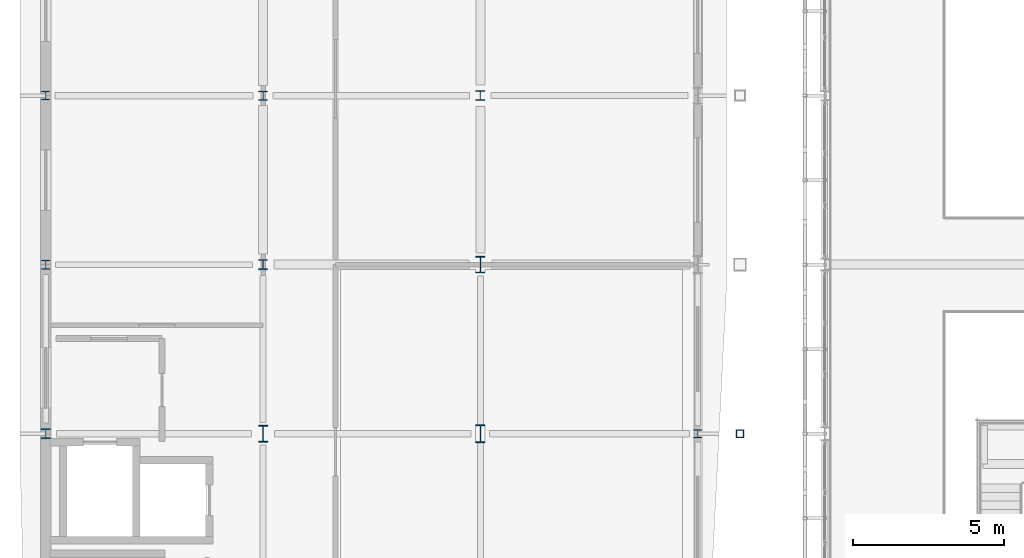
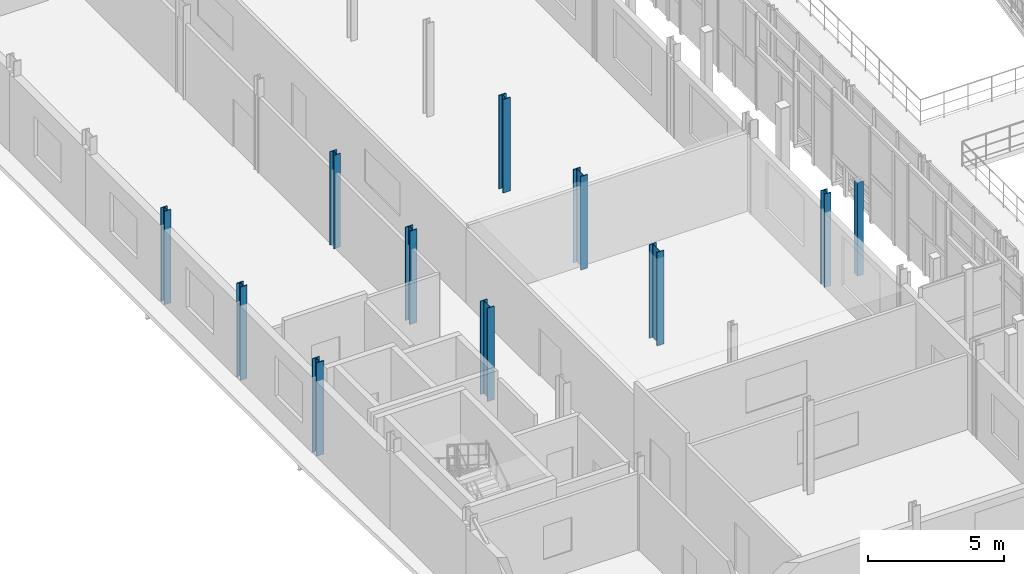
# One storey, part 5 of 138: 11 columns.
"""IFC4 building model written with IfcOpenShell, lengths in metres."""

from ifc_helpers import new_model, si_unit, direction, frame, origin, origin_2d, place, context, subcontext, project, spatial, hollow_rectangle, i_section, extrude, material, material_profile, profile_set, type_object, element, save


model = new_model("IFC4")

# Units and contexts
model_context = context("Model", 3, precision=1e-05, world=origin(), true_north=direction((0.0, 1.0)))
body_context = subcontext(model_context, "Body", "Model", "MODEL_VIEW")
ifc_project = project(units=[si_unit("LENGTHUNIT", "METRE"), si_unit("AREAUNIT", "SQUARE_METRE"), si_unit("VOLUMEUNIT", "CUBIC_METRE"), si_unit("PLANEANGLEUNIT", "RADIAN"), si_unit("MASSUNIT", "GRAM", prefix="KILO")], contexts=[model_context])

# Site, building, storey
site_placement = place(None, origin())
site = spatial("IfcSite", under=ifc_project, at=site_placement, CompositionType="ELEMENT")
building_placement = place(site_placement, origin())
building = spatial("IfcBuilding", under=site, at=building_placement, Name="Vinh Khe Railworks Police Headquarters", CompositionType="ELEMENT")
storey_placement = place(building_placement, frame((0.0, 0.0, 9.0)))
storey = spatial("IfcBuildingStorey", under=building, at=storey_placement, Name="L02", CompositionType="ELEMENT", Elevation=9.0)

# Columns
ifc_material = material(Name="Steel S355JR", Category="steel")
ifc_material_profile_1 = material_profile(ifc_material, i_section(OverallWidth=0.300048828125, OverallDepth=0.550048828125, WebThickness=0.014892578125, FlangeThickness=0.029052734375, FilletRadius=0.027099609375, at=origin_2d()), Name="HEB 550")
ifc_profile_set_1 = profile_set([ifc_material_profile_1], Name="Steel S355JR")
column_type_1 = type_object("IfcColumnType", Name="Steel Column HEB 550", PredefinedType="COLUMN", material=ifc_profile_set_1)
for number, where, z_axis, x_axis, name in (
    (1, (7.800048828125, 36.39990234375, 0.0), (0.0, 0.0, 1.0), (1.0, 0.0, 0.0), "Column COL-L02-SC-05-0207"),
    (2, (15.0, 42.0, 0.0), (0.0, 0.0, 1.0), (1.0, 0.0, 0.0), "Column COL-L02-SC-05-0384"),
):
    element("IfcColumn", number, at=place(storey_placement, frame(where, z_axis=z_axis, x_axis=x_axis)), inside=storey, type_object=column_type_1, Name=name, PredefinedType="COLUMN", context=body_context, shape_type="SweptSolid", body=[
        extrude(i_section(OverallWidth=0.300048828125, OverallDepth=0.550048828125, WebThickness=0.014892578125, FlangeThickness=0.029052734375, FilletRadius=0.027099609375, at=origin_2d()), origin(), (0.0, 0.0, 1.0), 4.199951171875),
    ])
ifc_material_profile_2 = material_profile(ifc_material, i_section(OverallWidth=0.300048828125, OverallDepth=0.60009765625, WebThickness=0.015380859375, FlangeThickness=0.030029296875, FilletRadius=0.027099609375, at=origin_2d()), Name="HEB 600")
ifc_profile_set_2 = profile_set([ifc_material_profile_2], Name="Steel S355JR")
column_type_2 = type_object("IfcColumnType", Name="Steel Column HEB 600", PredefinedType="COLUMN", material=ifc_profile_set_2)
column_1_placement = place(storey_placement, frame((15.0, 36.39990234375, 0.0), z_axis=(0.0, 0.0, 1.0), x_axis=(1.0, 0.0, 0.0)))
element("IfcColumn", 3, at=column_1_placement, inside=storey, type_object=column_type_2, Name="Column COL-L02-SC-04-0374", PredefinedType="COLUMN", context=body_context, shape_type="SweptSolid", body=[
    extrude(i_section(OverallWidth=0.300048828125, OverallDepth=0.60009765625, WebThickness=0.015380859375, FlangeThickness=0.030029296875, FilletRadius=0.027099609375, at=origin_2d()), origin(), (0.0, 0.0, 1.0), 4.199951171875),
])
ifc_material_profile_3 = material_profile(ifc_material, i_section(OverallWidth=0.26806640625, OverallDepth=0.2900390625, WebThickness=0.01806640625, FlangeThickness=0.032470703125, FilletRadius=0.02392578125, at=origin_2d()), Name="HEM 260")
ifc_profile_set_3 = profile_set([ifc_material_profile_3], Name="Steel S355JR")
column_type_3 = type_object("IfcColumnType", Name="Steel Column HEM 260", PredefinedType="COLUMN", material=ifc_profile_set_3)
for number, where, z_axis, x_axis, name in (
    (4, (0.60009765625, 47.60009765625, 0.0), (0.0, 0.0, 1.0), (1.0, 0.0, 0.0), "Column COL-L02-SC-03-0060"),
    (5, (22.199951171875, 36.39990234375, 0.0), (0.0, 0.0, 1.0), (1.0, 0.0, 0.0), "Column COL-L02-SC-03-0538"),
):
    element("IfcColumn", number, at=place(storey_placement, frame(where, z_axis=z_axis, x_axis=x_axis)), inside=storey, type_object=column_type_3, Name=name, PredefinedType="COLUMN", context=body_context, shape_type="SweptSolid", body=[
        extrude(i_section(OverallWidth=0.26806640625, OverallDepth=0.2900390625, WebThickness=0.01806640625, FlangeThickness=0.032470703125, FilletRadius=0.02392578125, at=origin_2d()), origin(), (0.0, 0.0, 1.0), 4.199951171875),
    ])
ifc_material_profile_4 = material_profile(ifc_material, i_section(OverallWidth=0.2880859375, OverallDepth=0.31005859375, WebThickness=0.0185546875, FlangeThickness=0.032958984375, FilletRadius=0.02392578125, at=origin_2d()), Name="HEM 280")
ifc_profile_set_4 = profile_set([ifc_material_profile_4], Name="Steel S355JR")
column_type_4 = type_object("IfcColumnType", Name="Steel Column HEM 280", PredefinedType="COLUMN", material=ifc_profile_set_4)
for number, where, z_axis, x_axis, name in (
    (6, (0.60009765625, 42.0, 0.0), (0.0, 0.0, 1.0), (1.0, 0.0, 0.0), "Column COL-L02-SC-02-0050"),
    (7, (7.800048828125, 47.60009765625, 0.0), (0.0, 0.0, 1.0), (1.0, 0.0, 0.0), "Column COL-L02-SC-02-0227"),
):
    element("IfcColumn", number, at=place(storey_placement, frame(where, z_axis=z_axis, x_axis=x_axis)), inside=storey, type_object=column_type_4, Name=name, PredefinedType="COLUMN", context=body_context, shape_type="SweptSolid", body=[
        extrude(i_section(OverallWidth=0.2880859375, OverallDepth=0.31005859375, WebThickness=0.0185546875, FlangeThickness=0.032958984375, FilletRadius=0.02392578125, at=origin_2d()), origin(), (0.0, 0.0, 1.0), 4.199951171875),
    ])
ifc_material_profile_5 = material_profile(ifc_material, i_section(OverallWidth=0.31005859375, OverallDepth=0.340087890625, WebThickness=0.02099609375, FlangeThickness=0.0390625, FilletRadius=0.027099609375, at=origin_2d()), Name="HEM 300")
ifc_profile_set_5 = profile_set([ifc_material_profile_5], Name="Steel S355JR")
column_type_5 = type_object("IfcColumnType", Name="Steel Column HEM 300", PredefinedType="COLUMN", material=ifc_profile_set_5)
for number, where, z_axis, x_axis, name in (
    (8, (0.60009765625, 36.39990234375, 0.0), (0.0, 0.0, 1.0), (1.0, 0.0, 0.0), "Column COL-L02-SC-01-0040"),
    (9, (7.800048828125, 42.0, 0.0), (0.0, 0.0, 1.0), (1.0, 0.0, 0.0), "Column COL-L02-SC-01-0217"),
    (10, (15.0, 47.60009765625, 0.0), (0.0, 0.0, 1.0), (1.0, 0.0, 0.0), "Column COL-L02-SC-01-0394"),
):
    element("IfcColumn", number, at=place(storey_placement, frame(where, z_axis=z_axis, x_axis=x_axis)), inside=storey, type_object=column_type_5, Name=name, PredefinedType="COLUMN", context=body_context, shape_type="SweptSolid", body=[
        extrude(i_section(OverallWidth=0.31005859375, OverallDepth=0.340087890625, WebThickness=0.02099609375, FlangeThickness=0.0390625, FilletRadius=0.027099609375, at=origin_2d()), origin(), (0.0, 0.0, 1.0), 4.199951171875),
    ])
ifc_material_profile_6 = material_profile(ifc_material, hollow_rectangle(XDim=0.25, YDim=0.25, WallThickness=0.012451171875, at=origin_2d()), Name="SHS 250x250x12.5")
ifc_profile_set_6 = profile_set([ifc_material_profile_6], Name="Steel S355JR")
column_type_6 = type_object("IfcColumnType", Name="Steel Column SHS 250x250x12.5", PredefinedType="COLUMN", material=ifc_profile_set_6)
column_2_placement = place(storey_placement, frame((23.60009765625, 36.39990234375, 0.0), z_axis=(0.0, 0.0, 1.0), x_axis=(1.0, 0.0, 0.0)))
element("IfcColumn", 11, at=column_2_placement, inside=storey, type_object=column_type_6, Name="Column COL-L02-SC-24-0673", PredefinedType="COLUMN", context=body_context, shape_type="SweptSolid", body=[
    extrude(hollow_rectangle(XDim=0.25, YDim=0.25, WallThickness=0.012451171875, at=origin_2d()), origin(), (0.0, 0.0, 1.0), 4.199951171875),
])

save(model, "model.ifc")
